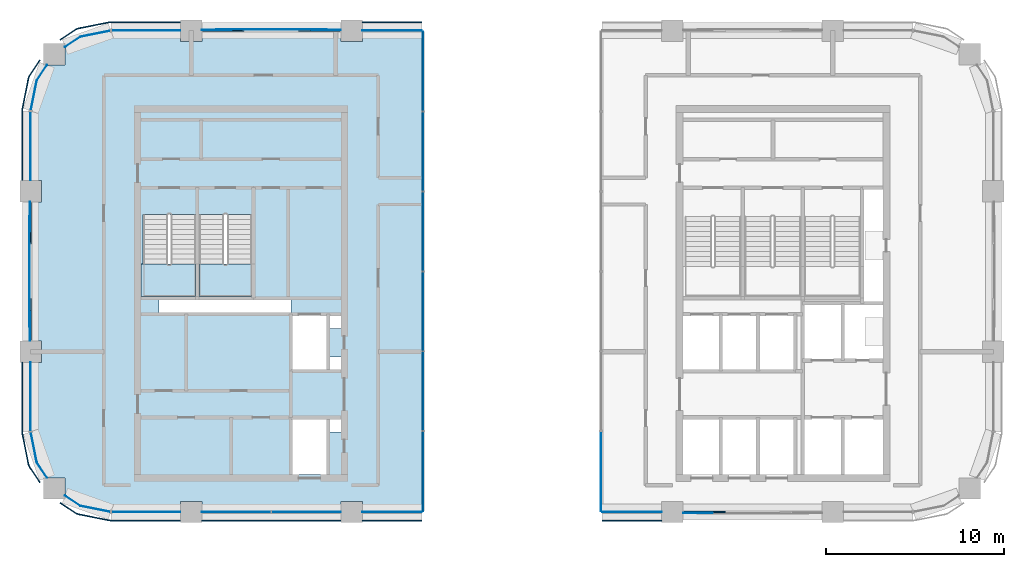
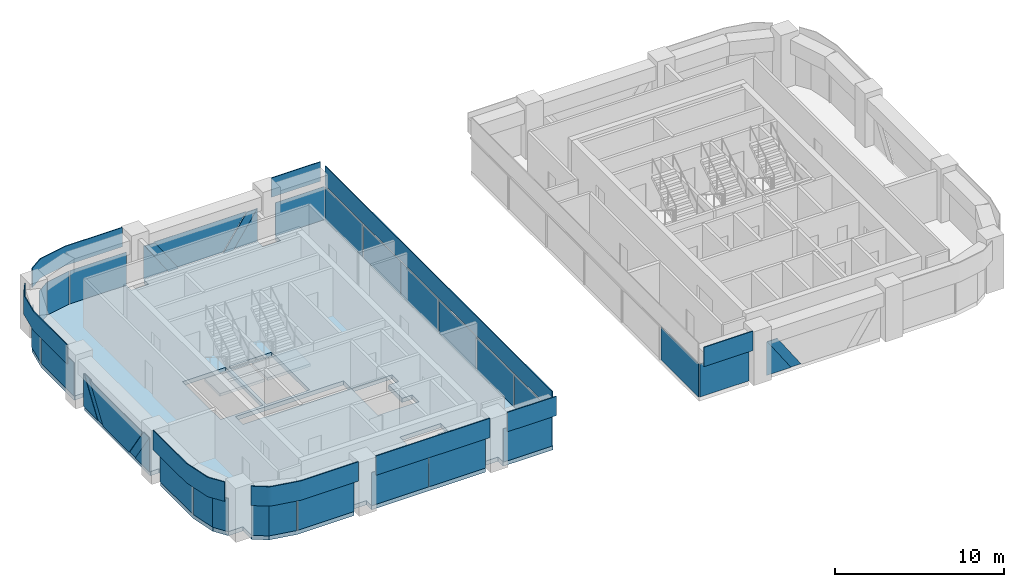
# One storey, part 4 of 11: 41 plates, 3 slabs, 15 elements without a shape of their own.
"""IFC4 building model written with IfcOpenShell, lengths in metres."""

from ifc_helpers import new_model, si_unit, direction, frame, origin, origin_2d, place, context, subcontext, project, spatial, polyline, rectangle, outline, extrude, material, layer, layer_set, type_object, element, aggregate, save


model = new_model("IFC4")

# Units and contexts
model_context = context("Model", 3, precision=1e-05, world=origin(), true_north=direction((0.0, 1.0)))
body_context = subcontext(model_context, "Body", "Model", "MODEL_VIEW")
ifc_project = project(units=[si_unit("LENGTHUNIT", "METRE"), si_unit("AREAUNIT", "SQUARE_METRE"), si_unit("VOLUMEUNIT", "CUBIC_METRE"), si_unit("PLANEANGLEUNIT", "RADIAN"), si_unit("MASSUNIT", "GRAM", prefix="KILO")], contexts=[model_context])

# Site, building, storey
site_placement = place(None, origin())
site = spatial("IfcSite", under=ifc_project, at=site_placement, CompositionType="ELEMENT")
building_placement = place(site_placement, origin())
building = spatial("IfcBuilding", under=site, at=building_placement, Name="Tessera Arch", CompositionType="ELEMENT")
storey_placement = place(building_placement, frame((0.0, 0.0, 222.800048828125)))
storey = spatial("IfcBuildingStorey", under=building, at=storey_placement, Name="L53", CompositionType="ELEMENT", Elevation=222.800048828125)

# Curtain wall, plates
ifc_material_1 = material(Name="CW1 curtain wall")
curtain_wall_type_1 = type_object("IfcCurtainWallType", Name="CW1 curtain wall", PredefinedType="NOTDEFINED", material=ifc_material_1)
curtain_wall_1_placement = place(storey_placement, origin())
curtain_wall_1 = element("IfcCurtainWall", 1, at=curtain_wall_1_placement, inside=storey, type_object=curtain_wall_type_1, Name="CW1 curtain wall S27.0/0 L53", PredefinedType="NOTDEFINED")
ifc_material_2 = material(Name="Clear low-e glass", Category="glass")
ifc_material_3 = material(Name="Clear low-e glass", Category="glass")
ifc_layer_1 = layer(ifc_material_3, 0.028076171875)
ifc_layer_set_1 = layer_set([ifc_layer_1], Name="CW1 glass panel")
plate_type_1 = type_object("IfcPlateType", Name="CW1 glass panel", PredefinedType="CURTAIN_PANEL", material=ifc_layer_set_1)
plate_1_placement = place(storey_placement, frame((11.534912109375, 27.0, 0.0), z_axis=(0.0, 0.0, 1.0), x_axis=(1.0, 0.0, 0.0)))
plate_1 = element("IfcPlate", 2, at=plate_1_placement, type_object=plate_type_1, material=ifc_material_2, Name="CW1 glass panel S27.0/0 1.1.1", PredefinedType="CURTAIN_PANEL", context=body_context, shape_type="SweptSolid", body=[
    extrude(rectangle(XDim=3.8701171875, YDim=0.028076171875, at=origin_2d()), origin(), (0.0, 0.0, 1.0), 2.39990234375),
])
plate_2_placement = place(storey_placement, frame((15.465087890625, 27.0, 0.0), z_axis=(0.0, 0.0, 1.0), x_axis=(1.0, 0.0, 0.0)))
plate_2 = element("IfcPlate", 3, at=plate_2_placement, type_object=plate_type_1, material=ifc_material_2, Name="CW1 glass panel S27.0/0 1.2.1", PredefinedType="CURTAIN_PANEL", context=body_context, shape_type="SweptSolid", body=[
    extrude(rectangle(XDim=3.8701171875, YDim=0.028076171875, at=origin_2d()), origin(), (0.0, 0.0, 1.0), 2.39990234375),
])

# Curtain wall, plate
curtain_wall_2_placement = place(storey_placement, origin())
curtain_wall_2 = element("IfcCurtainWall", 4, at=curtain_wall_2_placement, inside=storey, type_object=curtain_wall_type_1, Name="CW1 curtain wall S27.0/1 L53", PredefinedType="NOTDEFINED")
plate_3_placement = place(storey_placement, frame((20.27490234375, 27.0, 0.0), z_axis=(0.0, 0.0, 1.0), x_axis=(1.0, 0.0, 0.0)))
plate_3 = element("IfcPlate", 5, at=plate_3_placement, type_object=plate_type_1, material=ifc_material_2, Name="CW1 glass panel S27.0/1 1.1.1", PredefinedType="CURTAIN_PANEL", context=body_context, shape_type="SweptSolid", body=[
    extrude(rectangle(XDim=3.35009765625, YDim=0.028076171875, at=origin_2d()), origin(), (0.0, 0.0, 1.0), 2.39990234375),
])

curtain_wall_3_placement = place(storey_placement, origin())
curtain_wall_3 = element("IfcCurtainWall", 6, at=curtain_wall_3_placement, inside=storey, type_object=curtain_wall_type_1, Name="CW1 curtain wall N54.0/0 L53", PredefinedType="NOTDEFINED")
plate_4_placement = place(storey_placement, frame((20.27490234375, 54.0, 0.0), z_axis=(0.0, 0.0, 1.0), x_axis=(-1.0, 0.0, 0.0)))
plate_4 = element("IfcPlate", 7, at=plate_4_placement, type_object=plate_type_1, material=ifc_material_2, Name="CW1 glass panel N54.0/0 1.1.1", PredefinedType="CURTAIN_PANEL", context=body_context, shape_type="SweptSolid", body=[
    extrude(rectangle(XDim=3.35009765625, YDim=0.028076171875, at=origin_2d()), origin(), (0.0, 0.0, 1.0), 2.39990234375),
])

curtain_wall_4_placement = place(storey_placement, origin())
curtain_wall_4 = element("IfcCurtainWall", 8, at=curtain_wall_4_placement, inside=storey, type_object=curtain_wall_type_1, Name="CW1 curtain wall S27.32/0 L53", PredefinedType="NOTDEFINED")
plate_5_placement = place(storey_placement, frame((33.72509765625, 27.0, 0.0), z_axis=(0.0, 0.0, 1.0), x_axis=(1.0, 0.0, 0.0)))
plate_5 = element("IfcPlate", 9, at=plate_5_placement, type_object=plate_type_1, material=ifc_material_2, Name="CW1 glass panel S27.32/0 1.1.1", PredefinedType="CURTAIN_PANEL", context=body_context, shape_type="SweptSolid", body=[
    extrude(rectangle(XDim=3.35009765625, YDim=0.028076171875, at=origin_2d()), origin(), (0.0, 0.0, 1.0), 2.39990234375),
])

# Plate
ifc_material_4 = material(Name="Pale anodised aluminium panel", Category="aluminium")
ifc_layer_2 = layer(ifc_material_4, 0.06005859375)
ifc_layer_set_2 = layer_set([ifc_layer_2], Name="CW1 spandrel panel")
plate_type_2 = type_object("IfcPlateType", Name="CW1 spandrel panel", PredefinedType="CURTAIN_PANEL", material=ifc_layer_set_2)
plate_6_placement = place(storey_placement, frame((13.5, 26.52001953125, 2.5), z_axis=(0.0, 0.0, 1.0), x_axis=(1.0, 0.0, 0.0)))
plate_6 = element("IfcPlate", 10, at=plate_6_placement, type_object=plate_type_2, Name="CW1 spandrel panel S27.0/0", PredefinedType="CURTAIN_PANEL", context=body_context, shape_type="SweptSolid", body=[
    extrude(rectangle(XDim=7.800048828125, YDim=0.06005859375, at=origin_2d()), origin(), (0.0, 0.0, 1.0), 1.39990234375),
])

aggregate(curtain_wall_1, [plate_1, plate_2, plate_6])

plate_7_placement = place(storey_placement, frame((20.27490234375, 26.52001953125, 2.5), z_axis=(0.0, 0.0, 1.0), x_axis=(1.0, 0.0, 0.0)))
plate_7 = element("IfcPlate", 11, at=plate_7_placement, type_object=plate_type_2, Name="CW1 spandrel panel S27.0/1", PredefinedType="CURTAIN_PANEL", context=body_context, shape_type="SweptSolid", body=[
    extrude(rectangle(XDim=3.35009765625, YDim=0.06005859375, at=origin_2d()), origin(), (0.0, 0.0, 1.0), 1.39990234375),
])

aggregate(curtain_wall_2, [plate_3, plate_7])

plate_8_placement = place(storey_placement, frame((20.27490234375, 54.47998046875, 2.5), z_axis=(0.0, 0.0, 1.0), x_axis=(-1.0, 0.0, 0.0)))
plate_8 = element("IfcPlate", 12, at=plate_8_placement, type_object=plate_type_2, Name="CW1 spandrel panel N54.0/0", PredefinedType="CURTAIN_PANEL", context=body_context, shape_type="SweptSolid", body=[
    extrude(rectangle(XDim=3.35009765625, YDim=0.06005859375, at=origin_2d()), origin(), (0.0, 0.0, 1.0), 1.39990234375),
])

aggregate(curtain_wall_3, [plate_4, plate_8])

plate_9_placement = place(storey_placement, frame((33.72509765625, 26.52001953125, 2.5), z_axis=(0.0, 0.0, 1.0), x_axis=(1.0, 0.0, 0.0)))
plate_9 = element("IfcPlate", 13, at=plate_9_placement, type_object=plate_type_2, Name="CW1 spandrel panel S27.32/0", PredefinedType="CURTAIN_PANEL", context=body_context, shape_type="SweptSolid", body=[
    extrude(rectangle(XDim=3.35009765625, YDim=0.06005859375, at=origin_2d()), origin(), (0.0, 0.0, 1.0), 1.39990234375),
])

aggregate(curtain_wall_4, [plate_5, plate_9])

# Curtain wall, plates
ifc_material_5 = material(Name="CW2 curtain wall")
curtain_wall_type_2 = type_object("IfcCurtainWallType", Name="CW2 curtain wall", PredefinedType="NOTDEFINED", material=ifc_material_5)
curtain_wall_5_placement = place(storey_placement, origin())
curtain_wall_5 = element("IfcCurtainWall", 14, at=curtain_wall_5_placement, inside=storey, type_object=curtain_wall_type_2, Name="CW2 curtain wall N54.0/2 L53", PredefinedType="NOTDEFINED")
ifc_material_6 = material(Name="Clear low-e glass", Category="glass")
ifc_layer_3 = layer(ifc_material_6, 0.028076171875)
ifc_layer_set_3 = layer_set([ifc_layer_3], Name="CW2 glass panel")
plate_type_3 = type_object("IfcPlateType", Name="CW2 glass panel", PredefinedType="CURTAIN_PANEL", material=ifc_layer_set_3)
plate_10_placement = place(storey_placement, frame((6.469970703125, 54.0, 0.0), z_axis=(0.0, 0.0, 1.0), x_axis=(-1.0, 0.0, 0.0)))
plate_10 = element("IfcPlate", 15, at=plate_10_placement, type_object=plate_type_3, material=ifc_material_2, Name="CW2 glass panel N54.0/2 1.1", PredefinedType="CURTAIN_PANEL", context=body_context, shape_type="SweptSolid", body=[
    extrude(rectangle(XDim=3.860107421875, YDim=0.028076171875, at=origin_2d()), origin(), (0.0, 0.0, 1.0), 2.39990234375),
])
plate_11_placement = place(storey_placement, origin())
plate_11 = element("IfcPlate", 16, at=plate_11_placement, type_object=plate_type_3, material=ifc_material_2, Name="CW2 curved glass panel N54.0/2 2.1", PredefinedType="CURTAIN_PANEL", context=body_context, shape_type="SweptSolid", body=[
    extrude(outline(polyline([(2.783447265625, 53.644287109375), (4.46337890625, 53.978515625), (4.4580078125, 54.005859375), (2.7724609375, 53.670654296875), (1.91015625, 53.094482421875), (1.92578125, 53.0712890625), (2.783447265625, 53.644287109375)])), origin(), (0.0, 0.0, 1.0), 2.39990234375),
])

curtain_wall_6_placement = place(storey_placement, origin())
curtain_wall_6 = element("IfcCurtainWall", 17, at=curtain_wall_6_placement, inside=storey, type_object=curtain_wall_type_2, Name="CW2 curtain wall W0.27/0 L53", PredefinedType="NOTDEFINED")
plate_12_placement = place(storey_placement, frame((0.0, 47.530029296875, 0.0), z_axis=(0.0, 0.0, 1.0), x_axis=(0.0, -1.0, 0.0)))
plate_12 = element("IfcPlate", 18, at=plate_12_placement, type_object=plate_type_3, material=ifc_material_2, Name="CW2 glass panel W0.27/0 1.1", PredefinedType="CURTAIN_PANEL", context=body_context, shape_type="SweptSolid", body=[
    extrude(rectangle(XDim=3.860107421875, YDim=0.028076171875, at=origin_2d()), origin(), (0.0, 0.0, 1.0), 2.39990234375),
])
plate_13_placement = place(storey_placement, origin())
plate_13 = element("IfcPlate", 19, at=plate_13_placement, type_object=plate_type_3, material=ifc_material_2, Name="CW2 curved glass panel W0.27/0 2.1", PredefinedType="CURTAIN_PANEL", context=body_context, shape_type="SweptSolid", body=[
    extrude(outline(polyline([(0.355712890625, 51.216552734375), (0.9287109375, 52.07421875), (0.905517578125, 52.08984375), (0.329345703125, 51.2275390625), (-0.005859375, 49.5419921875), (0.021484375, 49.53662109375), (0.355712890625, 51.216552734375)])), origin(), (0.0, 0.0, 1.0), 2.39990234375),
])

curtain_wall_7_placement = place(storey_placement, origin())
curtain_wall_7 = element("IfcCurtainWall", 20, at=curtain_wall_7_placement, inside=storey, type_object=curtain_wall_type_2, Name="CW2 curtain wall W0.27/2 L53", PredefinedType="NOTDEFINED")
plate_14_placement = place(storey_placement, frame((0.0, 33.469970703125, 0.0), z_axis=(0.0, 0.0, 1.0), x_axis=(0.0, -1.0, 0.0)))
plate_14 = element("IfcPlate", 21, at=plate_14_placement, type_object=plate_type_3, material=ifc_material_2, Name="CW2 glass panel W0.27/2 1.1", PredefinedType="CURTAIN_PANEL", context=body_context, shape_type="SweptSolid", body=[
    extrude(rectangle(XDim=3.860107421875, YDim=0.028076171875, at=origin_2d()), origin(), (0.0, 0.0, 1.0), 2.39990234375),
])
plate_15_placement = place(storey_placement, origin())
plate_15 = element("IfcPlate", 22, at=plate_15_placement, type_object=plate_type_3, material=ifc_material_2, Name="CW2 curved glass panel W0.27/2 2.1", PredefinedType="CURTAIN_PANEL", context=body_context, shape_type="SweptSolid", body=[
    extrude(outline(polyline([(0.355712890625, 29.783447265625), (0.021484375, 31.46337890625), (-0.005859375, 31.4580078125), (0.329345703125, 29.7724609375), (0.905517578125, 28.91015625), (0.9287109375, 28.92578125), (0.355712890625, 29.783447265625)])), origin(), (0.0, 0.0, 1.0), 2.39990234375),
])

curtain_wall_8_placement = place(storey_placement, origin())
curtain_wall_8 = element("IfcCurtainWall", 23, at=curtain_wall_8_placement, inside=storey, type_object=curtain_wall_type_2, Name="CW2 curtain wall S27.0/2 L53", PredefinedType="NOTDEFINED")
plate_16_placement = place(storey_placement, frame((6.469970703125, 27.0, 0.0), z_axis=(0.0, 0.0, 1.0), x_axis=(1.0, 0.0, 0.0)))
plate_16 = element("IfcPlate", 24, at=plate_16_placement, type_object=plate_type_3, material=ifc_material_2, Name="CW2 glass panel S27.0/2 1.1", PredefinedType="CURTAIN_PANEL", context=body_context, shape_type="SweptSolid", body=[
    extrude(rectangle(XDim=3.860107421875, YDim=0.028076171875, at=origin_2d()), origin(), (0.0, 0.0, 1.0), 2.39990234375),
])
plate_17_placement = place(storey_placement, origin())
plate_17 = element("IfcPlate", 25, at=plate_17_placement, type_object=plate_type_3, material=ifc_material_2, Name="CW2 curved glass panel S27.0/2 2.1", PredefinedType="CURTAIN_PANEL", context=body_context, shape_type="SweptSolid", body=[
    extrude(outline(polyline([(2.783447265625, 27.355712890625), (1.92578125, 27.9287109375), (1.91015625, 27.905517578125), (2.7724609375, 27.329345703125), (4.4580078125, 26.994140625), (4.46337890625, 27.021484375), (2.783447265625, 27.355712890625)])), origin(), (0.0, 0.0, 1.0), 2.39990234375),
])

# Plate
ifc_material_7 = material(Name="Pale anodised aluminium panel", Category="aluminium")
ifc_layer_4 = layer(ifc_material_7, 0.06005859375)
ifc_layer_set_4 = layer_set([ifc_layer_4], Name="CW2 spandrel panel")
plate_type_4 = type_object("IfcPlateType", Name="CW2 spandrel panel", PredefinedType="CURTAIN_PANEL", material=ifc_layer_set_4)
plate_18_placement = place(storey_placement, frame((0.0, 0.0, 2.5)))
plate_18 = element("IfcPlate", 26, at=plate_18_placement, type_object=plate_type_4, Name="CW2 spandrel panel N54.0/2", PredefinedType="CURTAIN_PANEL", context=body_context, shape_type="SweptSolid", body=[
    extrude(outline(polyline([(4.500732421875, 54.449951171875), (8.39990234375, 54.449951171875), (8.39990234375, 54.510009765625), (4.499267578125, 54.510009765625), (4.449951171875, 54.507568359375), (4.401123046875, 54.500244140625), (2.677734375, 54.157470703125), (2.6298828125, 54.1455078125), (2.582763671875, 54.128662109375), (2.537353515625, 54.107421875), (2.4951171875, 54.08203125), (1.634765625, 53.5068359375), (1.66796875, 53.45703125), (2.52734375, 54.03125), (2.565673828125, 54.054443359375), (2.605712890625, 54.0732421875), (2.647216796875, 54.088134765625), (2.69091796875, 54.09912109375), (4.411376953125, 54.441162109375), (4.455810546875, 54.44775390625), (4.500732421875, 54.449951171875)])), origin(), (0.0, 0.0, 1.0), 1.39990234375),
])

aggregate(curtain_wall_5, [plate_10, plate_11, plate_18])

plate_19_placement = place(storey_placement, frame((0.0, 0.0, 2.5)))
plate_19 = element("IfcPlate", 27, at=plate_19_placement, type_object=plate_type_4, Name="CW2 spandrel panel W0.27/0", PredefinedType="CURTAIN_PANEL", context=body_context, shape_type="SweptSolid", body=[
    extrude(outline(polyline([(-0.03125, 51.47265625), (0.54296875, 52.33203125), (0.4931640625, 52.365234375), (-0.08203125, 51.5048828125), (-0.107421875, 51.462646484375), (-0.128662109375, 51.417236328125), (-0.1455078125, 51.3701171875), (-0.157470703125, 51.322265625), (-0.500244140625, 49.598876953125), (-0.507568359375, 49.550048828125), (-0.510009765625, 49.500732421875), (-0.510009765625, 45.60009765625), (-0.449951171875, 45.60009765625), (-0.449951171875, 49.499267578125), (-0.44775390625, 49.544189453125), (-0.441162109375, 49.588623046875), (-0.09912109375, 51.30908203125), (-0.088134765625, 51.352783203125), (-0.0732421875, 51.394287109375), (-0.054443359375, 51.434326171875), (-0.03125, 51.47265625)])), origin(), (0.0, 0.0, 1.0), 1.39990234375),
])

aggregate(curtain_wall_6, [plate_12, plate_13, plate_19])

plate_20_placement = place(storey_placement, frame((0.0, 0.0, 2.5)))
plate_20 = element("IfcPlate", 28, at=plate_20_placement, type_object=plate_type_4, Name="CW2 spandrel panel W0.27/2", PredefinedType="CURTAIN_PANEL", context=body_context, shape_type="SweptSolid", body=[
    extrude(outline(polyline([(-0.449951171875, 31.500732421875), (-0.449951171875, 35.39990234375), (-0.510009765625, 35.39990234375), (-0.510009765625, 31.499267578125), (-0.507568359375, 31.449951171875), (-0.500244140625, 31.401123046875), (-0.157470703125, 29.677734375), (-0.1455078125, 29.6298828125), (-0.128662109375, 29.582763671875), (-0.107421875, 29.537353515625), (-0.08203125, 29.4951171875), (0.4931640625, 28.634765625), (0.54296875, 28.66796875), (-0.03125, 29.52734375), (-0.054443359375, 29.565673828125), (-0.0732421875, 29.605712890625), (-0.088134765625, 29.647216796875), (-0.09912109375, 29.69091796875), (-0.441162109375, 31.411376953125), (-0.44775390625, 31.455810546875), (-0.449951171875, 31.500732421875)])), origin(), (0.0, 0.0, 1.0), 1.39990234375),
])

aggregate(curtain_wall_7, [plate_14, plate_15, plate_20])

plate_21_placement = place(storey_placement, frame((0.0, 0.0, 2.5)))
plate_21 = element("IfcPlate", 29, at=plate_21_placement, type_object=plate_type_4, Name="CW2 spandrel panel S27.0/2", PredefinedType="CURTAIN_PANEL", context=body_context, shape_type="SweptSolid", body=[
    extrude(outline(polyline([(2.52734375, 26.96875), (1.66796875, 27.54296875), (1.634765625, 27.4931640625), (2.4951171875, 26.91796875), (2.537353515625, 26.892578125), (2.582763671875, 26.871337890625), (2.6298828125, 26.8544921875), (2.677734375, 26.842529296875), (4.401123046875, 26.499755859375), (4.449951171875, 26.492431640625), (4.499267578125, 26.489990234375), (8.39990234375, 26.489990234375), (8.39990234375, 26.550048828125), (4.500732421875, 26.550048828125), (4.455810546875, 26.55224609375), (4.411376953125, 26.558837890625), (2.69091796875, 26.90087890625), (2.647216796875, 26.911865234375), (2.605712890625, 26.9267578125), (2.565673828125, 26.945556640625), (2.52734375, 26.96875)])), origin(), (0.0, 0.0, 1.0), 1.39990234375),
])

aggregate(curtain_wall_8, [plate_16, plate_17, plate_21])

# Curtain wall, plates
ifc_material_8 = material(Name="CW3 curtain wall")
curtain_wall_type_3 = type_object("IfcCurtainWallType", Name="CW3 curtain wall", PredefinedType="NOTDEFINED", material=ifc_material_8)
curtain_wall_9_placement = place(storey_placement, origin())
curtain_wall_9 = element("IfcCurtainWall", 30, at=curtain_wall_9_placement, inside=storey, type_object=curtain_wall_type_3, Name="CW3 curtain wall N54.0/1 L53", PredefinedType="NOTDEFINED")
ifc_material_9 = material(Name="Pale anodised aluminium panel", Category="aluminium")
ifc_layer_5 = layer(ifc_material_9, 0.06005859375)
ifc_layer_set_5 = layer_set([ifc_layer_5], Name="CW3 diagonal panel")
plate_type_5 = type_object("IfcPlateType", Name="CW3 diagonal panel", PredefinedType="CURTAIN_PANEL", material=ifc_layer_set_5)
plate_22_placement = place(storey_placement, frame((9.65576171875, 54.030029296875, 2.39990234375), z_axis=(0.0, 1.0, 0.0), x_axis=(1.0, 0.0, 0.0)))
plate_22 = element("IfcPlate", 31, at=plate_22_placement, type_object=plate_type_5, Name="CW3 diagonal panel N54.0/1 1", PredefinedType="CURTAIN_PANEL", context=body_context, shape_type="SweptSolid", body=[
    extrude(outline(polyline([(0.0, 0.0), (0.6953125, 0.0), (2.30908203125, 2.39990234375), (1.61376953125, 2.39990234375), (0.0, 0.0)])), origin(), (0.0, 0.0, -1.0), 0.06005859375),
])
plate_23_placement = place(storey_placement, frame((16.64892578125, 54.030029296875, 2.39990234375), z_axis=(0.0, 1.0, 0.0), x_axis=(1.0, 0.0, 0.0)))
plate_23 = element("IfcPlate", 32, at=plate_23_placement, type_object=plate_type_5, Name="CW3 diagonal panel N54.0/1 2", PredefinedType="CURTAIN_PANEL", context=body_context, shape_type="SweptSolid", body=[
    extrude(outline(polyline([(0.0, 0.0), (0.6953125, 0.0), (-0.91845703125, 2.39990234375), (-1.61376953125, 2.39990234375), (0.0, 0.0)])), origin(), (0.0, 0.0, -1.0), 0.06005859375),
])

curtain_wall_10_placement = place(storey_placement, origin())
curtain_wall_10 = element("IfcCurtainWall", 33, at=curtain_wall_10_placement, inside=storey, type_object=curtain_wall_type_3, Name="CW3 curtain wall W0.27/1 L53", PredefinedType="NOTDEFINED")
plate_24_placement = place(storey_placement, frame((-0.030029296875, 36.65576171875, 2.39990234375), z_axis=(-1.0, 0.0, 0.0), x_axis=(0.0, 1.0, 0.0)))
plate_24 = element("IfcPlate", 34, at=plate_24_placement, type_object=plate_type_5, Name="CW3 diagonal panel W0.27/1 1", PredefinedType="CURTAIN_PANEL", context=body_context, shape_type="SweptSolid", body=[
    extrude(outline(polyline([(0.0, 0.0), (0.6953125, 0.0), (2.30908203125, 2.39990234375), (1.61376953125, 2.39990234375), (0.0, 0.0)])), origin(), (0.0, 0.0, -1.0), 0.06005859375),
])
plate_25_placement = place(storey_placement, frame((-0.030029296875, 43.64892578125, 2.39990234375), z_axis=(-1.0, 0.0, 0.0), x_axis=(0.0, 1.0, 0.0)))
plate_25 = element("IfcPlate", 35, at=plate_25_placement, type_object=plate_type_5, Name="CW3 diagonal panel W0.27/1 2", PredefinedType="CURTAIN_PANEL", context=body_context, shape_type="SweptSolid", body=[
    extrude(outline(polyline([(0.0, 0.0), (0.6953125, 0.0), (-0.91845703125, 2.39990234375), (-1.61376953125, 2.39990234375), (0.0, 0.0)])), origin(), (0.0, 0.0, -1.0), 0.06005859375),
])

# Curtain wall, plate
curtain_wall_11_placement = place(storey_placement, origin())
curtain_wall_11 = element("IfcCurtainWall", 36, at=curtain_wall_11_placement, inside=storey, type_object=curtain_wall_type_3, Name="CW3 curtain wall S27.32/1 L53", PredefinedType="NOTDEFINED")
plate_26_placement = place(storey_placement, frame((37.35107421875, 26.969970703125, 2.39990234375), z_axis=(0.0, -1.0, 0.0), x_axis=(-1.0, 0.0, 0.0)))
plate_26 = element("IfcPlate", 37, at=plate_26_placement, type_object=plate_type_5, Name="CW3 diagonal panel S27.32/1 2", PredefinedType="CURTAIN_PANEL", context=body_context, shape_type="SweptSolid", body=[
    extrude(outline(polyline([(0.0, 0.0), (0.6953125, 0.0), (-0.91845703125, 2.39990234375), (-1.61376953125, 2.39990234375), (0.0, 0.0)])), origin(), (0.0, 0.0, -1.0), 0.06005859375),
])

# Plate
ifc_material_10 = material(Name="Clear low-e glass", Category="glass")
ifc_layer_6 = layer(ifc_material_10, 0.028076171875)
ifc_layer_set_6 = layer_set([ifc_layer_6], Name="CW3 glass panel")
plate_type_6 = type_object("IfcPlateType", Name="CW3 glass panel", PredefinedType="CURTAIN_PANEL", material=ifc_layer_set_6)
plate_27_placement = place(storey_placement, frame((17.39990234375, 54.05810546875, 0.0), z_axis=(0.0, 1.0, 0.0), x_axis=(-1.0, 0.0, 0.0)))
plate_27 = element("IfcPlate", 38, at=plate_27_placement, type_object=plate_type_6, material=ifc_material_2, Name="CW3 triangulated glass panel N54.0/1 1", PredefinedType="CURTAIN_PANEL", context=body_context, shape_type="SweptSolid", body=[
    extrude(outline(polyline([(0.0, 0.0), (1.66943359375, 0.0), (0.0556640625, 2.39990234375), (0.0, 2.39990234375), (0.0, 0.0)])), origin(), (0.0, 0.0, -1.0), 0.028076171875),
])

plate_28_placement = place(storey_placement, frame((10.35107421875, 54.0859375, 2.39990234375), z_axis=(0.0, 1.0, 0.0), x_axis=(1.0, 0.0, 0.0)))
plate_28 = element("IfcPlate", 39, at=plate_28_placement, type_object=plate_type_6, material=ifc_material_2, Name="CW3 triangulated glass panel N54.0/1 2", PredefinedType="CURTAIN_PANEL", context=body_context, shape_type="SweptSolid", body=[
    extrude(outline(polyline([(0.0, 0.0), (6.2978515625, 0.0), (4.68408203125, 2.39990234375), (1.61376953125, 2.39990234375), (0.0, 0.0)])), origin(), (0.0, 0.0, -1.0), 0.028076171875),
])

plate_29_placement = place(storey_placement, frame((9.60009765625, 54.05810546875, 2.39990234375), z_axis=(0.0, 1.0, 0.0), x_axis=(1.0, 0.0, 0.0)))
plate_29 = element("IfcPlate", 40, at=plate_29_placement, type_object=plate_type_6, material=ifc_material_2, Name="CW3 triangulated glass panel N54.0/1 3", PredefinedType="CURTAIN_PANEL", context=body_context, shape_type="SweptSolid", body=[
    extrude(outline(polyline([(0.0, 0.0), (0.0556640625, 0.0), (1.66943359375, 2.39990234375), (0.0, 2.39990234375), (0.0, 0.0)])), origin(), (0.0, 0.0, -1.0), 0.028076171875),
])

aggregate(curtain_wall_9, [plate_27, plate_28, plate_29, plate_22, plate_23])

plate_30_placement = place(storey_placement, frame((-0.05810546875, 44.39990234375, 0.0), z_axis=(-1.0, 0.0, 0.0), x_axis=(0.0, -1.0, 0.0)))
plate_30 = element("IfcPlate", 41, at=plate_30_placement, type_object=plate_type_6, material=ifc_material_2, Name="CW3 triangulated glass panel W0.27/1 1", PredefinedType="CURTAIN_PANEL", context=body_context, shape_type="SweptSolid", body=[
    extrude(outline(polyline([(0.0, 0.0), (1.66943359375, 0.0), (0.0556640625, 2.39990234375), (0.0, 2.39990234375), (0.0, 0.0)])), origin(), (0.0, 0.0, -1.0), 0.028076171875),
])

plate_31_placement = place(storey_placement, frame((-0.0859375, 37.35107421875, 2.39990234375), z_axis=(-1.0, 0.0, 0.0), x_axis=(0.0, 1.0, 0.0)))
plate_31 = element("IfcPlate", 42, at=plate_31_placement, type_object=plate_type_6, material=ifc_material_2, Name="CW3 triangulated glass panel W0.27/1 2", PredefinedType="CURTAIN_PANEL", context=body_context, shape_type="SweptSolid", body=[
    extrude(outline(polyline([(0.0, 0.0), (6.2978515625, 0.0), (4.68408203125, 2.39990234375), (1.61376953125, 2.39990234375), (0.0, 0.0)])), origin(), (0.0, 0.0, -1.0), 0.028076171875),
])

plate_32_placement = place(storey_placement, frame((-0.05810546875, 36.60009765625, 2.39990234375), z_axis=(-1.0, 0.0, 0.0), x_axis=(0.0, 1.0, 0.0)))
plate_32 = element("IfcPlate", 43, at=plate_32_placement, type_object=plate_type_6, material=ifc_material_2, Name="CW3 triangulated glass panel W0.27/1 3", PredefinedType="CURTAIN_PANEL", context=body_context, shape_type="SweptSolid", body=[
    extrude(outline(polyline([(0.0, 0.0), (0.0556640625, 0.0), (1.66943359375, 2.39990234375), (0.0, 2.39990234375), (0.0, 0.0)])), origin(), (0.0, 0.0, -1.0), 0.028076171875),
])

aggregate(curtain_wall_10, [plate_30, plate_31, plate_32, plate_24, plate_25])

plate_33_placement = place(storey_placement, frame((36.60009765625, 26.94189453125, 0.0), z_axis=(0.0, -1.0, 0.0), x_axis=(1.0, 0.0, 0.0)))
plate_33 = element("IfcPlate", 44, at=plate_33_placement, type_object=plate_type_6, material=ifc_material_2, Name="CW3 triangulated glass panel S27.32/1 1", PredefinedType="CURTAIN_PANEL", context=body_context, shape_type="SweptSolid", body=[
    extrude(outline(polyline([(0.0, 0.0), (1.66943359375, 0.0), (0.0556640625, 2.39990234375), (0.0, 2.39990234375), (0.0, 0.0)])), origin(), (0.0, 0.0, -1.0), 0.028076171875),
])

aggregate(curtain_wall_11, [plate_33, plate_26])

# Curtain wall, plates
ifc_material_11 = material(Name="CW5 curtain wall")
curtain_wall_type_4 = type_object("IfcCurtainWallType", Name="CW5 curtain wall", PredefinedType="NOTDEFINED", material=ifc_material_11)
curtain_wall_12_placement = place(storey_placement, origin())
curtain_wall_12 = element("IfcCurtainWall", 45, at=curtain_wall_12_placement, inside=storey, type_object=curtain_wall_type_4, Name="CW5 curtain wall E22.27/0 L53", PredefinedType="NOTDEFINED")
ifc_material_12 = material(Name="Clear low-e glass", Category="glass")
ifc_layer_7 = layer(ifc_material_12, 0.028076171875)
ifc_layer_set_7 = layer_set([ifc_layer_7], Name="CW5 glass panel")
plate_type_7 = type_object("IfcPlateType", Name="CW5 glass panel", PredefinedType="CURTAIN_PANEL", material=ifc_layer_set_7)
plate_34_placement = place(storey_placement, frame((22.0, 29.271728515625, 0.0), z_axis=(0.0, 0.0, 1.0), x_axis=(0.0, 1.0, 0.0)))
plate_34 = element("IfcPlate", 46, at=plate_34_placement, type_object=plate_type_7, material=ifc_material_2, Name="CW5 glass panel E22.27/0 1.1.1", PredefinedType="CURTAIN_PANEL", context=body_context, shape_type="SweptSolid", body=[
    extrude(rectangle(XDim=4.443359375, YDim=0.028076171875, at=origin_2d()), origin(), (0.0, 0.0, 1.0), 2.39990234375),
])
plate_35_placement = place(storey_placement, frame((22.0, 33.77490234375, 0.0), z_axis=(0.0, 0.0, 1.0), x_axis=(0.0, 1.0, 0.0)))
plate_35 = element("IfcPlate", 47, at=plate_35_placement, type_object=plate_type_7, material=ifc_material_2, Name="CW5 glass panel E22.27/0 1.2.1", PredefinedType="CURTAIN_PANEL", context=body_context, shape_type="SweptSolid", body=[
    extrude(rectangle(XDim=4.4033203125, YDim=0.028076171875, at=origin_2d()), origin(), (0.0, 0.0, 1.0), 2.39990234375),
])
plate_36_placement = place(storey_placement, frame((22.0, 38.25830078125, 0.0), z_axis=(0.0, 0.0, 1.0), x_axis=(0.0, 1.0, 0.0)))
plate_36 = element("IfcPlate", 48, at=plate_36_placement, type_object=plate_type_7, material=ifc_material_2, Name="CW5 glass panel E22.27/0 1.3.1", PredefinedType="CURTAIN_PANEL", context=body_context, shape_type="SweptSolid", body=[
    extrude(rectangle(XDim=4.4033203125, YDim=0.028076171875, at=origin_2d()), origin(), (0.0, 0.0, 1.0), 2.39990234375),
])
plate_37_placement = place(storey_placement, frame((22.0, 42.74169921875, 0.0), z_axis=(0.0, 0.0, 1.0), x_axis=(0.0, 1.0, 0.0)))
plate_37 = element("IfcPlate", 49, at=plate_37_placement, type_object=plate_type_7, material=ifc_material_2, Name="CW5 glass panel E22.27/0 1.4.1", PredefinedType="CURTAIN_PANEL", context=body_context, shape_type="SweptSolid", body=[
    extrude(rectangle(XDim=4.4033203125, YDim=0.028076171875, at=origin_2d()), origin(), (0.0, 0.0, 1.0), 2.39990234375),
])
plate_38_placement = place(storey_placement, frame((22.0, 47.22509765625, 0.0), z_axis=(0.0, 0.0, 1.0), x_axis=(0.0, 1.0, 0.0)))
plate_38 = element("IfcPlate", 50, at=plate_38_placement, type_object=plate_type_7, material=ifc_material_2, Name="CW5 glass panel E22.27/0 1.5.1", PredefinedType="CURTAIN_PANEL", context=body_context, shape_type="SweptSolid", body=[
    extrude(rectangle(XDim=4.4033203125, YDim=0.028076171875, at=origin_2d()), origin(), (0.0, 0.0, 1.0), 2.39990234375),
])
plate_39_placement = place(storey_placement, frame((22.0, 51.728271484375, 0.0), z_axis=(0.0, 0.0, 1.0), x_axis=(0.0, 1.0, 0.0)))
plate_39 = element("IfcPlate", 51, at=plate_39_placement, type_object=plate_type_7, material=ifc_material_2, Name="CW5 glass panel E22.27/0 1.6.1", PredefinedType="CURTAIN_PANEL", context=body_context, shape_type="SweptSolid", body=[
    extrude(rectangle(XDim=4.443359375, YDim=0.028076171875, at=origin_2d()), origin(), (0.0, 0.0, 1.0), 2.39990234375),
])

# Curtain wall, plate
curtain_wall_13_placement = place(storey_placement, origin())
curtain_wall_13 = element("IfcCurtainWall", 52, at=curtain_wall_13_placement, inside=storey, type_object=curtain_wall_type_4, Name="CW5 curtain wall W32.27/0 L53", PredefinedType="NOTDEFINED")
plate_40_placement = place(storey_placement, frame((32.0, 29.271728515625, 0.0), z_axis=(0.0, 0.0, 1.0), x_axis=(0.0, -1.0, 0.0)))
plate_40 = element("IfcPlate", 53, at=plate_40_placement, type_object=plate_type_7, material=ifc_material_2, Name="CW5 glass panel W32.27/0 1.6.1", PredefinedType="CURTAIN_PANEL", context=body_context, shape_type="SweptSolid", body=[
    extrude(rectangle(XDim=4.443359375, YDim=0.028076171875, at=origin_2d()), origin(), (0.0, 0.0, 1.0), 2.39990234375),
])
aggregate(curtain_wall_13, [plate_40])

# Plate
ifc_material_13 = material(Name="Pale anodised aluminium panel", Category="aluminium")
ifc_layer_8 = layer(ifc_material_13, 0.06005859375)
ifc_layer_set_8 = layer_set([ifc_layer_8], Name="CW5 spandrel panel")
plate_type_8 = type_object("IfcPlateType", Name="CW5 spandrel panel", PredefinedType="CURTAIN_PANEL", material=ifc_layer_set_8)
plate_41_placement = place(storey_placement, frame((22.0, 40.5, 2.5), z_axis=(0.0, 0.0, 1.0), x_axis=(0.0, 1.0, 0.0)))
plate_41 = element("IfcPlate", 54, at=plate_41_placement, type_object=plate_type_8, Name="CW5 spandrel panel E22.27/0", PredefinedType="CURTAIN_PANEL", context=body_context, shape_type="SweptSolid", body=[
    extrude(rectangle(XDim=26.89990234375, YDim=0.06005859375, at=origin_2d()), origin(), (0.0, 0.0, 1.0), 1.39990234375),
])

aggregate(curtain_wall_12, [plate_34, plate_35, plate_36, plate_37, plate_38, plate_39, plate_41])

# Slab
ifc_material_14 = material(Name="Concrete C40/50", Category="concrete")
ifc_layer_9 = layer(ifc_material_14, 0.300048828125)
ifc_layer_set_9 = layer_set([ifc_layer_9], Name="Floor slab 300 Concrete C40/50")
slab_type_1 = type_object("IfcSlabType", Name="Floor slab 300 Concrete C40/50", PredefinedType="FLOOR", material=ifc_layer_set_9)
slab_1_placement = place(storey_placement, frame((0.0, 0.0, -0.300048828125)))
element("IfcSlab", 55, at=slab_1_placement, inside=storey, type_object=slab_type_1, Name="Floor slab L53 1", PredefinedType="FLOOR", context=body_context, shape_type="SweptSolid", body=[
    extrude(outline(polyline([(1.91796875, 27.9169921875), (1.91796875, 28.91796875), (0.9169921875, 28.91796875), (0.342529296875, 29.77783203125), (0.0, 31.5), (0.0, 35.39990234375), (0.60009765625, 35.39990234375), (0.60009765625, 36.60009765625), (0.0, 36.60009765625), (0.0, 44.39990234375), (0.60009765625, 44.39990234375), (0.60009765625, 45.60009765625), (0.0, 45.60009765625), (0.0, 49.5), (0.342529296875, 51.22216796875), (0.9169921875, 52.08203125), (1.91796875, 52.08203125), (1.91796875, 53.0830078125), (2.77783203125, 53.657470703125), (4.5, 54.0), (8.39990234375, 54.0), (8.39990234375, 53.39990234375), (9.60009765625, 53.39990234375), (9.60009765625, 54.0), (17.39990234375, 54.0), (17.39990234375, 53.39990234375), (18.60009765625, 53.39990234375), (18.60009765625, 54.0), (22.0, 54.0), (22.0, 27.0), (18.60009765625, 27.0), (18.60009765625, 27.60009765625), (17.39990234375, 27.60009765625), (17.39990234375, 27.0), (9.60009765625, 27.0), (9.60009765625, 27.60009765625), (8.39990234375, 27.60009765625), (8.39990234375, 27.0), (4.5, 27.0), (2.77783203125, 27.342529296875), (1.91796875, 27.9169921875)]), holes=[polyline([(14.60009765625, 29.10009765625), (16.699951171875, 29.10009765625), (16.699951171875, 31.5), (17.39990234375, 31.5), (17.39990234375, 32.300048828125), (16.699951171875, 32.300048828125), (14.60009765625, 32.300048828125), (14.60009765625, 29.10009765625)]), polyline([(17.39990234375, 35.699951171875), (16.699951171875, 35.699951171875), (16.699951171875, 37.300048828125), (17.39990234375, 37.300048828125), (17.39990234375, 38.10009765625), (16.699951171875, 38.10009765625), (14.60498046875, 38.10009765625), (14.60498046875, 38.10498046875), (14.60009765625, 38.10498046875), (14.60009765625, 39.0), (7.199951171875, 39.0), (7.199951171875, 38.10009765625), (14.594970703125, 38.10009765625), (14.594970703125, 38.094970703125), (14.60009765625, 38.094970703125), (14.60009765625, 34.89990234375), (16.699951171875, 34.89990234375), (17.39990234375, 34.89990234375), (17.39990234375, 35.699951171875)]), polyline([(6.300048828125, 43.68994140625), (6.300048828125, 39.199951171875), (9.25, 39.199951171875), (9.25, 43.68994140625), (7.85009765625, 43.68994140625), (7.85009765625, 43.699951171875), (7.699951171875, 43.699951171875), (7.699951171875, 43.68994140625), (6.300048828125, 43.68994140625)]), polyline([(9.449951171875, 43.68994140625), (9.449951171875, 39.199951171875), (12.39990234375, 39.199951171875), (12.39990234375, 43.68994140625), (11.0, 43.68994140625), (11.0, 43.699951171875), (10.85009765625, 43.699951171875), (10.85009765625, 43.68994140625), (9.449951171875, 43.68994140625)])]), origin(), (0.0, 0.0, 1.0), 0.300048828125),
])

# Stair, slab
ifc_material_15 = material(Name="Concrete C40/50", Category="concrete")
stair_type = type_object("IfcStairType", Name="Dogleg stair 1400", PredefinedType="HALF_TURN_STAIR", material=ifc_material_15)
stair_1_placement = place(storey_placement, origin())
stair_1 = element("IfcStair", 56, at=stair_1_placement, inside=storey, type_object=stair_type, Name="L53 S2a", PredefinedType="HALF_TURN_STAIR")
ifc_material_16 = material(Name="Concrete C40/50", Category="concrete")
ifc_layer_10 = layer(ifc_material_16, 0.300048828125)
ifc_layer_set_10 = layer_set([ifc_layer_10], Name="Stair landing 300")
slab_type_2 = type_object("IfcSlabType", Name="Stair landing 300", PredefinedType="LANDING", material=ifc_layer_set_10)
slab_2_placement = place(storey_placement, frame((0.0, 0.0, 1.75)))
slab_2 = element("IfcSlab", 57, at=slab_2_placement, type_object=slab_type_2, Name="S2a landing 1", PredefinedType="LANDING", context=body_context, shape_type="SweptSolid", body=[
    extrude(outline(polyline([(6.199951171875, 40.89990234375), (6.199951171875, 39.10009765625), (9.25, 39.10009765625), (9.25, 40.89990234375), (6.199951171875, 40.89990234375)])), origin(), (0.0, 0.0, 1.0), 0.199951171875),
])
aggregate(stair_1, [slab_2])

stair_2_placement = place(storey_placement, origin())
stair_2 = element("IfcStair", 58, at=stair_2_placement, inside=storey, type_object=stair_type, Name="L53 S2b", PredefinedType="HALF_TURN_STAIR")
slab_3_placement = place(storey_placement, frame((0.0, 0.0, 1.75)))
slab_3 = element("IfcSlab", 59, at=slab_3_placement, type_object=slab_type_2, Name="S2b landing 1", PredefinedType="LANDING", context=body_context, shape_type="SweptSolid", body=[
    extrude(outline(polyline([(9.449951171875, 40.89990234375), (9.449951171875, 39.10009765625), (12.39990234375, 39.10009765625), (12.39990234375, 40.89990234375), (9.449951171875, 40.89990234375)])), origin(), (0.0, 0.0, 1.0), 0.199951171875),
])
aggregate(stair_2, [slab_3])

save(model, "model.ifc")
